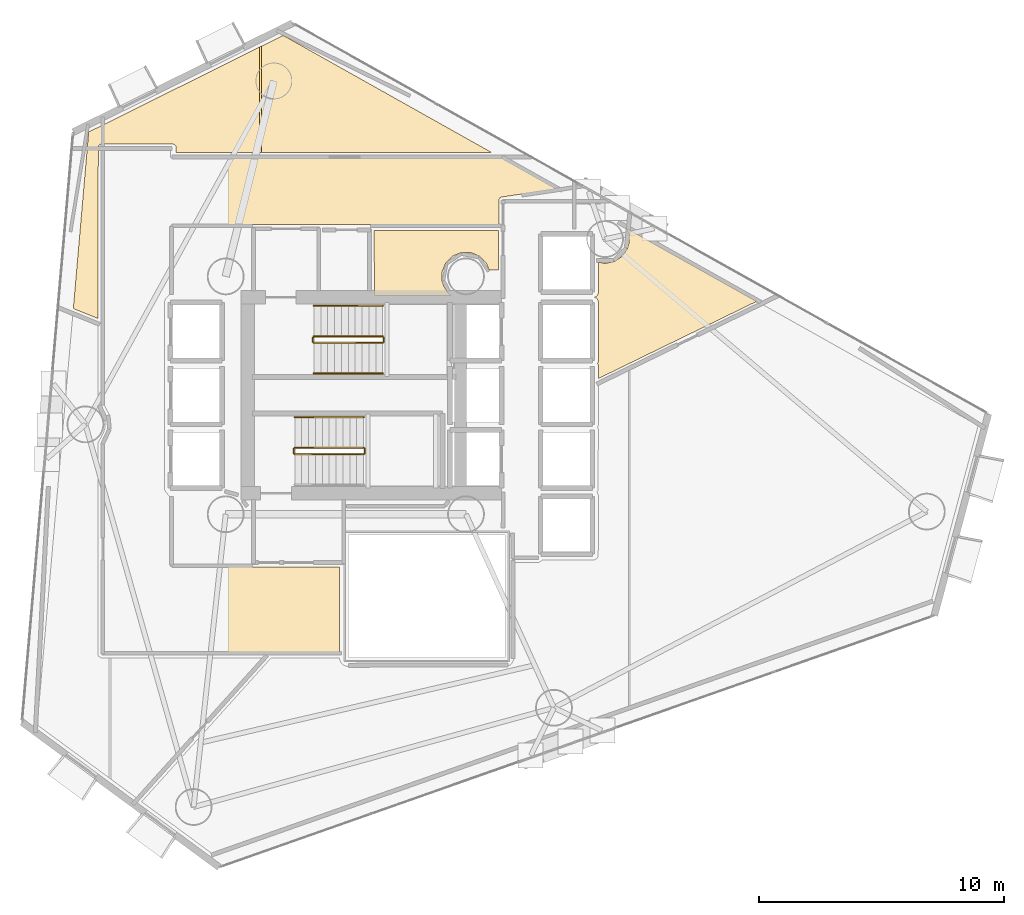
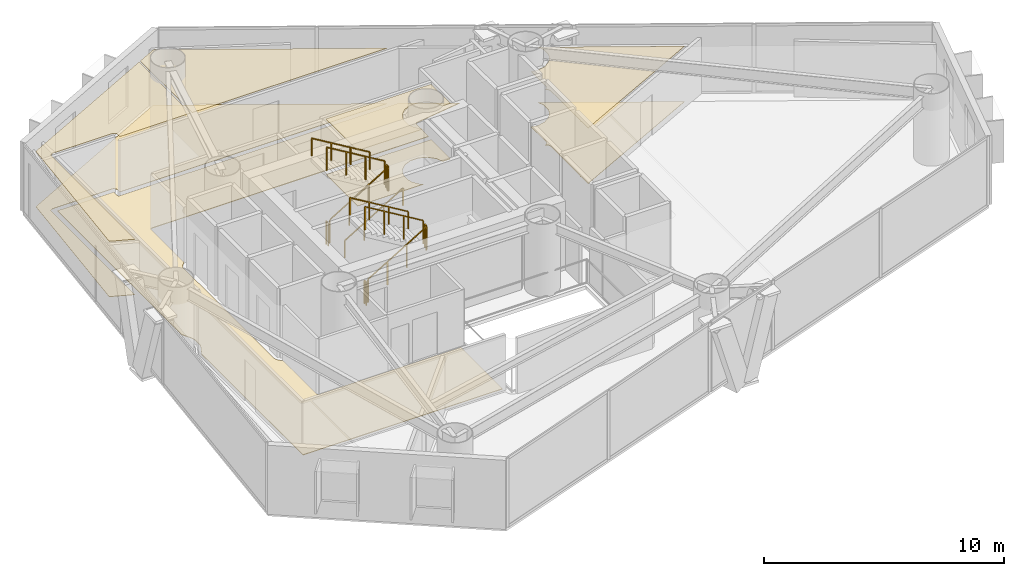
# One storey, part 19 of 19: 11 railings, 8 coverings.
"""IFC4 building model written with IfcOpenShell, lengths in metres."""

from ifc_helpers import new_model, si_unit, direction, frame, origin, origin_2d, place, context, subcontext, project, spatial, polyline, rectangle, outline, extrude, material, layer, layer_set, type_object, element, save


model = new_model("IFC4")

# Units and contexts
model_context = context("Model", 3, precision=1e-05, world=origin(), true_north=direction((0.0, 1.0)))
body_context = subcontext(model_context, "Body", "Model", "MODEL_VIEW")
ifc_project = project(units=[si_unit("LENGTHUNIT", "METRE"), si_unit("AREAUNIT", "SQUARE_METRE"), si_unit("VOLUMEUNIT", "CUBIC_METRE"), si_unit("PLANEANGLEUNIT", "RADIAN"), si_unit("MASSUNIT", "GRAM", prefix="KILO")], contexts=[model_context])

# Site, building, storey
site_placement = place(None, origin())
site = spatial("IfcSite", under=ifc_project, at=site_placement, CompositionType="ELEMENT")
building_placement = place(site_placement, origin())
building = spatial("IfcBuilding", under=site, at=building_placement, Name="Qianvela Tower", CompositionType="ELEMENT")
storey_placement = place(building_placement, frame((0.0, 0.0, 123.699951171875)))
storey = spatial("IfcBuildingStorey", under=building, at=storey_placement, Name="L31", CompositionType="ELEMENT", Elevation=123.699951171875)

# Coverings
ifc_material_1 = material(Name="Perforated Mineral Acoustic Ceiling Tile")
ifc_layer_1 = layer(ifc_material_1, 0.02490234375)
ifc_layer_set_1 = layer_set([ifc_layer_1], Name="Perforated Mineral Acoustic Ceiling Tile")
covering_type_1 = type_object("IfcCoveringType", Name="COV-CEIL-ACOUSTIC-25", PredefinedType="CEILING", material=ifc_layer_set_1)
covering_1_placement = place(storey_placement, frame((0.0, 0.0, 2.81494140625)))
element("IfcCovering", 1, at=covering_1_placement, inside=storey, type_object=covering_type_1, Name="L31 Acoustic Ceiling Social Galley Kitchen L31-03", PredefinedType="CEILING", context=body_context, shape_type="SweptSolid", body=[
    extrude(outline(polyline([(43.640380859375, 32.699951171875), (43.722412109375, 32.739013671875), (43.729248046875, 32.74267578125), (43.73583984375, 32.746826171875), (43.741943359375, 32.751953125), (43.74755859375, 32.757568359375), (43.75244140625, 32.763427734375), (43.7568359375, 32.77001953125), (43.760498046875, 32.777099609375), (43.763427734375, 32.7841796875), (43.79541015625, 32.873046875), (43.79736328125, 32.879638671875), (43.798828125, 32.886474609375), (43.7998046875, 32.893310546875), (43.800048828125, 32.900390625), (43.794677734375, 34.135498046875), (44.0546875, 34.081787109375), (44.062744140625, 34.080322265625), (44.07080078125, 34.080078125), (44.07861328125, 34.080322265625), (44.086669921875, 34.08154296875), (44.434814453125, 34.15087890625), (44.4423828125, 34.152587890625), (44.449951171875, 34.155517578125), (44.45703125, 34.15869140625), (44.463623046875, 34.162841796875), (44.7587890625, 34.360107421875), (44.76513671875, 34.36474609375), (44.77099609375, 34.3701171875), (44.7763671875, 34.375732421875), (44.781005859375, 34.382080078125), (44.978271484375, 34.67724609375), (44.982421875, 34.68408203125), (44.985595703125, 34.691162109375), (44.98828125, 34.698486328125), (45.0400390625, 34.869140625), (45.0419921875, 34.876953125), (45.043212890625, 34.884521484375), (45.04345703125, 34.892578125), (45.04345703125, 35.24755859375), (45.043212890625, 35.25537109375), (45.0419921875, 35.26318359375), (45.0400390625, 35.270751953125), (45.037353515625, 35.278076171875), (44.9365234375, 35.521484375), (50.2578125, 32.533935546875), (43.800048828125, 29.38427734375), (43.800048828125, 29.89990234375), (43.799560546875, 29.907958984375), (43.79833984375, 29.915771484375), (43.79638671875, 29.923583984375), (43.793701171875, 29.93115234375), (43.7646484375, 30.0), (43.793701171875, 30.06884765625), (43.79638671875, 30.076416015625), (43.79833984375, 30.084228515625), (43.799560546875, 30.092041015625), (43.800048828125, 30.10009765625), (43.800048828125, 32.5), (43.799560546875, 32.509033203125), (43.7978515625, 32.518310546875), (43.79541015625, 32.527099609375), (43.763427734375, 32.61572265625), (43.760498046875, 32.623046875), (43.7568359375, 32.6298828125), (43.75244140625, 32.636474609375), (43.74755859375, 32.642578125), (43.741943359375, 32.648193359375), (43.73583984375, 32.653076171875), (43.729248046875, 32.657470703125), (43.722412109375, 32.6611328125), (43.640380859375, 32.699951171875)])), origin(), (0.0, 0.0, 1.0), 0.025146484375),
])
covering_2_placement = place(storey_placement, frame((0.0, 0.0, 2.81494140625)))
element("IfcCovering", 2, at=covering_2_placement, inside=storey, type_object=covering_type_1, Name="L31 Acoustic Ceiling Student Bookshop Market L31-04", PredefinedType="CEILING", context=body_context, shape_type="SweptSolid", body=[
    extrude(outline(polyline([(34.657470703125, 35.419921875), (39.719970703125, 35.419921875), (39.719970703125, 33.81201171875), (39.3447265625, 33.81103515625), (39.23046875, 34.086181640625), (39.227294921875, 34.09326171875), (39.22314453125, 34.10009765625), (39.218505859375, 34.106201171875), (39.213134765625, 34.112060546875), (38.962158203125, 34.36328125), (38.956298828125, 34.368408203125), (38.949951171875, 34.373291015625), (38.943359375, 34.377197265625), (38.936279296875, 34.380615234375), (38.608154296875, 34.516357421875), (38.600830078125, 34.51904296875), (38.593017578125, 34.52099609375), (38.58544921875, 34.522216796875), (38.577392578125, 34.5224609375), (38.222412109375, 34.5224609375), (38.214599609375, 34.522216796875), (38.206787109375, 34.52099609375), (38.19921875, 34.51904296875), (38.19189453125, 34.516357421875), (37.86376953125, 34.380615234375), (37.856689453125, 34.377197265625), (37.85009765625, 34.373291015625), (37.84375, 34.368408203125), (37.837890625, 34.36328125), (37.5869140625, 34.112060546875), (37.58154296875, 34.106201171875), (37.576904296875, 34.10009765625), (37.57275390625, 34.09326171875), (37.569580078125, 34.086181640625), (37.43359375, 33.758056640625), (37.430908203125, 33.750732421875), (37.428955078125, 33.7431640625), (37.427978515625, 33.7353515625), (37.427490234375, 33.7275390625), (37.427490234375, 33.37255859375), (37.427978515625, 33.364501953125), (37.428955078125, 33.35693359375), (37.430908203125, 33.34912109375), (37.482666015625, 33.178466796875), (37.4853515625, 33.171142578125), (37.48876953125, 33.1640625), (37.492919921875, 33.1572265625), (37.68994140625, 32.862060546875), (37.694580078125, 32.855712890625), (37.699951171875, 32.85009765625), (37.705810546875, 32.8447265625), (37.712158203125, 32.840087890625), (37.81689453125, 32.77001953125), (34.659912109375, 32.77001953125), (34.657470703125, 35.419921875)])), origin(), (0.0, 0.0, 1.0), 0.025146484375),
])
covering_3_placement = place(storey_placement, frame((0.0, 0.0, 2.81494140625)))
element("IfcCovering", 3, at=covering_3_placement, inside=storey, type_object=covering_type_1, Name="L31 Acoustic Ceiling Bay 1 Stationery Supply Boutique L31-05", PredefinedType="CEILING", context=body_context, shape_type="SweptSolid", body=[
    extrude(outline(polyline([(26.577880859375, 38.82421875), (26.57666015625, 38.83251953125), (26.574462890625, 38.840576171875), (26.571533203125, 38.84814453125), (26.567626953125, 38.855712890625), (26.563232421875, 38.862548828125), (26.55810546875, 38.868896484375), (26.55224609375, 38.875), (26.481689453125, 38.93896484375), (26.47509765625, 38.944091796875), (26.468017578125, 38.94873046875), (26.46044921875, 38.95263671875), (26.45263671875, 38.955810546875), (26.444580078125, 38.957763671875), (26.436279296875, 38.959228515625), (26.427978515625, 38.959716796875), (23.550048828125, 38.9599609375), (23.542236328125, 38.959716796875), (23.534423828125, 38.95849609375), (23.52685546875, 38.95654296875), (23.519287109375, 38.953857421875), (23.51220703125, 38.95068359375), (23.44580078125, 38.9150390625), (23.43896484375, 38.910888671875), (23.432861328125, 38.90625), (23.427001953125, 38.90087890625), (23.421630859375, 38.895263671875), (23.4169921875, 38.888916015625), (23.4130859375, 38.882080078125), (23.40966796875, 38.875), (23.406982421875, 38.867919921875), (23.405029296875, 38.860107421875), (23.40380859375, 38.852294921875), (23.403564453125, 38.844482421875), (23.39013671875, 31.832275390625), (22.385009765625, 32.23828125), (23.010009765625, 39.438232421875), (29.9833984375, 42.90380859375), (29.9833984375, 38.610107421875), (26.57958984375, 38.610107421875), (26.57861328125, 38.81591796875), (26.577880859375, 38.82421875)])), origin(), (0.0, 0.0, 1.0), 0.025146484375),
])
covering_4_placement = place(storey_placement, frame((0.0, 0.0, 2.81494140625)))
element("IfcCovering", 4, at=covering_4_placement, inside=storey, type_object=covering_type_1, Name="L31 Acoustic Ceiling Bay 2 Stationery Supply Boutique L31-05", PredefinedType="CEILING", context=body_context, shape_type="SweptSolid", body=[
    extrude(outline(polyline([(30.94091796875, 43.379638671875), (39.435791015625, 38.610107421875), (30.0634765625, 38.610107421875), (30.0634765625, 42.943603515625), (30.94091796875, 43.379638671875)])), origin(), (0.0, 0.0, 1.0), 0.025146484375),
])
ifc_material_2 = material(Name="Engineered Acoustic Oak Timber Flooring", Category="wood")
ifc_layer_2 = layer(ifc_material_2, 0.02001953125)
ifc_layer_set_2 = layer_set([ifc_layer_2], Name="Engineered Acoustic Oak Timber Flooring")
covering_type_2 = type_object("IfcCoveringType", Name="COV-FLOOR-OAK-20", PredefinedType="FLOORING", material=ifc_layer_set_2)
covering_5_placement = place(storey_placement, origin())
element("IfcCovering", 5, at=covering_5_placement, inside=storey, type_object=covering_type_2, Name="L31 Finish Flooring Social Galley Kitchen L31-03", PredefinedType="FLOORING", context=body_context, shape_type="SweptSolid", body=[
    extrude(outline(polyline([(43.640380859375, 32.699951171875), (43.722412109375, 32.739013671875), (43.729248046875, 32.74267578125), (43.73583984375, 32.746826171875), (43.741943359375, 32.751953125), (43.74755859375, 32.757568359375), (43.75244140625, 32.763427734375), (43.7568359375, 32.77001953125), (43.760498046875, 32.777099609375), (43.763427734375, 32.7841796875), (43.79541015625, 32.873046875), (43.79736328125, 32.879638671875), (43.798828125, 32.886474609375), (43.7998046875, 32.893310546875), (43.800048828125, 32.900390625), (43.794677734375, 34.135498046875), (44.0546875, 34.081787109375), (44.062744140625, 34.080322265625), (44.07080078125, 34.080078125), (44.07861328125, 34.080322265625), (44.086669921875, 34.08154296875), (44.434814453125, 34.15087890625), (44.4423828125, 34.152587890625), (44.449951171875, 34.155517578125), (44.45703125, 34.15869140625), (44.463623046875, 34.162841796875), (44.7587890625, 34.360107421875), (44.76513671875, 34.36474609375), (44.77099609375, 34.3701171875), (44.7763671875, 34.375732421875), (44.781005859375, 34.382080078125), (44.978271484375, 34.67724609375), (44.982421875, 34.68408203125), (44.985595703125, 34.691162109375), (44.98828125, 34.698486328125), (45.0400390625, 34.869140625), (45.0419921875, 34.876953125), (45.043212890625, 34.884521484375), (45.04345703125, 34.892578125), (45.04345703125, 35.24755859375), (45.043212890625, 35.25537109375), (45.0419921875, 35.26318359375), (45.0400390625, 35.270751953125), (45.037353515625, 35.278076171875), (44.9365234375, 35.521484375), (50.2578125, 32.533935546875), (43.800048828125, 29.38427734375), (43.800048828125, 29.89990234375), (43.799560546875, 29.907958984375), (43.79833984375, 29.915771484375), (43.79638671875, 29.923583984375), (43.793701171875, 29.93115234375), (43.7646484375, 30.0), (43.793701171875, 30.06884765625), (43.79638671875, 30.076416015625), (43.79833984375, 30.084228515625), (43.799560546875, 30.092041015625), (43.800048828125, 30.10009765625), (43.800048828125, 32.5), (43.799560546875, 32.509033203125), (43.7978515625, 32.518310546875), (43.79541015625, 32.527099609375), (43.763427734375, 32.61572265625), (43.760498046875, 32.623046875), (43.7568359375, 32.6298828125), (43.75244140625, 32.636474609375), (43.74755859375, 32.642578125), (43.741943359375, 32.648193359375), (43.73583984375, 32.653076171875), (43.729248046875, 32.657470703125), (43.722412109375, 32.6611328125), (43.640380859375, 32.699951171875)])), origin(), (0.0, 0.0, 1.0), 0.02001953125),
])
covering_6_placement = place(storey_placement, origin())
element("IfcCovering", 6, at=covering_6_placement, inside=storey, type_object=covering_type_2, Name="L31 Finish Flooring Student Bookshop Market L31-04", PredefinedType="FLOORING", context=body_context, shape_type="SweptSolid", body=[
    extrude(outline(polyline([(34.657470703125, 35.419921875), (39.719970703125, 35.419921875), (39.719970703125, 33.81201171875), (39.3447265625, 33.81103515625), (39.23046875, 34.086181640625), (39.227294921875, 34.09326171875), (39.22314453125, 34.10009765625), (39.218505859375, 34.106201171875), (39.213134765625, 34.112060546875), (38.962158203125, 34.36328125), (38.956298828125, 34.368408203125), (38.949951171875, 34.373291015625), (38.943359375, 34.377197265625), (38.936279296875, 34.380615234375), (38.608154296875, 34.516357421875), (38.600830078125, 34.51904296875), (38.593017578125, 34.52099609375), (38.58544921875, 34.522216796875), (38.577392578125, 34.5224609375), (38.222412109375, 34.5224609375), (38.214599609375, 34.522216796875), (38.206787109375, 34.52099609375), (38.19921875, 34.51904296875), (38.19189453125, 34.516357421875), (37.86376953125, 34.380615234375), (37.856689453125, 34.377197265625), (37.85009765625, 34.373291015625), (37.84375, 34.368408203125), (37.837890625, 34.36328125), (37.5869140625, 34.112060546875), (37.58154296875, 34.106201171875), (37.576904296875, 34.10009765625), (37.57275390625, 34.09326171875), (37.569580078125, 34.086181640625), (37.43359375, 33.758056640625), (37.430908203125, 33.750732421875), (37.428955078125, 33.7431640625), (37.427978515625, 33.7353515625), (37.427490234375, 33.7275390625), (37.427490234375, 33.37255859375), (37.427978515625, 33.364501953125), (37.428955078125, 33.35693359375), (37.430908203125, 33.34912109375), (37.482666015625, 33.178466796875), (37.4853515625, 33.171142578125), (37.48876953125, 33.1640625), (37.492919921875, 33.1572265625), (37.68994140625, 32.862060546875), (37.694580078125, 32.855712890625), (37.699951171875, 32.85009765625), (37.705810546875, 32.8447265625), (37.712158203125, 32.840087890625), (37.81689453125, 32.77001953125), (34.659912109375, 32.77001953125), (34.657470703125, 35.419921875)])), origin(), (0.0, 0.0, 1.0), 0.02001953125),
])
covering_7_placement = place(storey_placement, origin())
element("IfcCovering", 7, at=covering_7_placement, inside=storey, type_object=covering_type_2, Name="L31 Finish Flooring Stationery Supply Boutique L31-05", PredefinedType="FLOORING", context=body_context, shape_type="SweptSolid", body=[
    extrude(outline(polyline([(26.57861328125, 38.81591796875), (26.577880859375, 38.82421875), (26.57666015625, 38.83251953125), (26.574462890625, 38.840576171875), (26.571533203125, 38.84814453125), (26.567626953125, 38.855712890625), (26.563232421875, 38.862548828125), (26.55810546875, 38.868896484375), (26.55224609375, 38.875), (26.481689453125, 38.93896484375), (26.47509765625, 38.944091796875), (26.468017578125, 38.94873046875), (26.46044921875, 38.95263671875), (26.45263671875, 38.955810546875), (26.444580078125, 38.957763671875), (26.436279296875, 38.959228515625), (26.427978515625, 38.959716796875), (23.550048828125, 38.9599609375), (23.542236328125, 38.959716796875), (23.534423828125, 38.95849609375), (23.52685546875, 38.95654296875), (23.519287109375, 38.953857421875), (23.51220703125, 38.95068359375), (23.44580078125, 38.9150390625), (23.43896484375, 38.910888671875), (23.432861328125, 38.90625), (23.427001953125, 38.90087890625), (23.421630859375, 38.895263671875), (23.4169921875, 38.888916015625), (23.4130859375, 38.882080078125), (23.40966796875, 38.875), (23.406982421875, 38.867919921875), (23.405029296875, 38.860107421875), (23.40380859375, 38.852294921875), (23.403564453125, 38.844482421875), (23.39013671875, 31.832275390625), (22.385009765625, 32.23828125), (23.010009765625, 39.438232421875), (30.94091796875, 43.379638671875), (39.435791015625, 38.610107421875), (26.57958984375, 38.610107421875), (26.57861328125, 38.81591796875)])), origin(), (0.0, 0.0, 1.0), 0.02001953125),
])
ifc_material_3 = material(Name="Honed Stone Terrazzo Flooring", Category="masonry")
ifc_layer_3 = layer(ifc_material_3, 0.030029296875)
ifc_layer_set_3 = layer_set([ifc_layer_3], Name="Honed Stone Terrazzo Flooring")
covering_type_3 = type_object("IfcCoveringType", Name="COV-FLOOR-TERRAZZO-30", PredefinedType="FLOORING", material=ifc_layer_set_3)
covering_8_placement = place(storey_placement, origin())
element("IfcCovering", 8, at=covering_8_placement, inside=storey, type_object=covering_type_3, Name="L31 Finish Flooring L31 Floor Corridor", PredefinedType="FLOORING", context=body_context, shape_type="SweptSolid", body=[
    extrude(outline(polyline([(23.8505859375, 27.910400390625), (23.84814453125, 27.917724609375), (23.8447265625, 27.9248046875), (23.6298828125, 28.32666015625), (23.6298828125, 38.719970703125), (26.340087890625, 38.719970703125), (26.340087890625, 38.449951171875), (26.34033203125, 38.442138671875), (26.341552734375, 38.434326171875), (26.343505859375, 38.4267578125), (26.34619140625, 38.41943359375), (26.349365234375, 38.412353515625), (26.353515625, 38.405517578125), (26.358154296875, 38.399169921875), (26.36328125, 38.393310546875), (26.369140625, 38.38818359375), (26.37548828125, 38.383544921875), (26.38232421875, 38.37939453125), (26.389404296875, 38.376220703125), (26.396728515625, 38.373291015625), (26.404296875, 38.37158203125), (26.412109375, 38.370361328125), (26.419921875, 38.3701171875), (39.86328125, 38.3701171875), (42.08837890625, 37.12060546875), (39.8388671875, 36.78369140625), (39.831298828125, 36.7822265625), (39.82373046875, 36.780029296875), (39.81640625, 36.777099609375), (39.8095703125, 36.773193359375), (39.802978515625, 36.768798828125), (39.797119140625, 36.763916015625), (39.79150390625, 36.75830078125), (39.78662109375, 36.752197265625), (39.7822265625, 36.745849609375), (39.74951171875, 36.691162109375), (39.74609375, 36.684814453125), (39.7431640625, 36.67822265625), (39.740966796875, 36.67138671875), (39.7392578125, 36.664306640625), (39.73828125, 36.6572265625), (39.738037109375, 36.64990234375), (39.738037109375, 35.659912109375), (26.419921875, 35.659912109375), (26.412109375, 35.65966796875), (26.404296875, 35.658447265625), (26.396728515625, 35.656494140625), (26.389404296875, 35.65380859375), (26.38232421875, 35.650634765625), (26.37548828125, 35.646484375), (26.369140625, 35.641845703125), (26.36328125, 35.63671875), (26.358154296875, 35.630859375), (26.353515625, 35.62451171875), (26.349365234375, 35.61767578125), (26.34619140625, 35.610595703125), (26.343505859375, 35.603271484375), (26.341552734375, 35.595703125), (26.34033203125, 35.587890625), (26.340087890625, 35.580078125), (26.340087890625, 32.849365234375), (26.152587890625, 32.642578125), (26.1474609375, 32.636474609375), (26.143310546875, 32.6298828125), (26.139404296875, 32.623046875), (26.136474609375, 32.61572265625), (26.104736328125, 32.527099609375), (26.10205078125, 32.518310546875), (26.1005859375, 32.509033203125), (26.10009765625, 32.5), (26.10009765625, 24.89990234375), (26.100341796875, 24.89306640625), (26.101318359375, 24.88623046875), (26.1025390625, 24.879638671875), (26.104736328125, 24.873046875), (26.136474609375, 24.7841796875), (26.139404296875, 24.777099609375), (26.143310546875, 24.77001953125), (26.1474609375, 24.763427734375), (26.152587890625, 24.757568359375), (26.340087890625, 24.550537109375), (26.340087890625, 21.780029296875), (26.34033203125, 21.772216796875), (26.341552734375, 21.764404296875), (26.343505859375, 21.7568359375), (26.34619140625, 21.74951171875), (26.349365234375, 21.7421875), (26.353515625, 21.735595703125), (26.358154296875, 21.729248046875), (26.36328125, 21.723388671875), (26.369140625, 21.71826171875), (26.37548828125, 21.71337890625), (26.38232421875, 21.70947265625), (26.389404296875, 21.7060546875), (26.396728515625, 21.703369140625), (26.404296875, 21.701416015625), (26.412109375, 21.700439453125), (26.419921875, 21.699951171875), (33.239990234375, 21.699951171875), (33.239990234375, 18.22998046875), (23.6298828125, 18.22998046875), (23.6298828125, 26.705322265625), (23.8447265625, 27.107177734375), (23.84814453125, 27.1142578125), (23.8505859375, 27.12158203125), (23.906005859375, 27.303466796875), (23.90771484375, 27.311279296875), (23.908935546875, 27.31884765625), (23.909423828125, 27.326904296875), (23.909423828125, 27.705078125), (23.908935546875, 27.713134765625), (23.90771484375, 27.720703125), (23.906005859375, 27.728515625), (23.8505859375, 27.910400390625)])), origin(), (0.0, 0.0, 1.0), 0.030029296875),
])

# Railings
ifc_material_4 = material(Name="Painted Tubular Steel Q355B", Category="steel")
railing_type_1 = type_object("IfcRailingType", Name="RL-STAIR-GUARD-1200", PredefinedType="GUARDRAIL", material=ifc_material_4)
railing_1_placement = place(storey_placement, frame((32.199951171875, 30.840087890625, 0.168212890625)))
element("IfcRailing", 9, at=railing_1_placement, inside=storey, type_object=railing_type_1, Name="L31 ST-1 stair guard 1", PredefinedType="GUARDRAIL", context=body_context, shape_type="SweptSolid", body=[
    extrude(rectangle(XDim=0.050048828125, YDim=0.0400390625, at=origin_2d()), frame((0.0, 0.0, 1.179931640625), z_axis=(0.857242210791, 0.0, 0.514913383045), x_axis=(0.0, 1.0, 0.0)), (0.0, 0.0, 1.0), 3.266357421875),
    extrude(rectangle(XDim=0.050048828125, YDim=0.050048828125, at=origin_2d()), origin(), (0.0, 0.0, 1.0), 1.159912109375),
    extrude(rectangle(XDim=0.050048828125, YDim=0.050048828125, at=origin_2d()), frame((0.933349609375, 0.0, 0.560546875)), (0.0, 0.0, 1.0), 1.159912109375),
    extrude(rectangle(XDim=0.050048828125, YDim=0.050048828125, at=origin_2d()), frame((1.86669921875, 0.0, 1.121337890625)), (0.0, 0.0, 1.0), 1.159912109375),
    extrude(rectangle(XDim=0.050048828125, YDim=0.050048828125, at=origin_2d()), frame((2.800048828125, 0.0, 1.681884765625)), (0.0, 0.0, 1.0), 1.159912109375),
])
railing_2_placement = place(storey_placement, frame((35.050048828125, 30.889892578125, 1.85009765625)))
element("IfcRailing", 10, at=railing_2_placement, inside=storey, type_object=railing_type_1, Name="L31 ST-1 stair guard 2", PredefinedType="GUARDRAIL", context=body_context, shape_type="SweptSolid", body=[
    extrude(rectangle(XDim=0.050048828125, YDim=0.0400390625, at=origin_2d()), frame((0.0, 0.0, 1.179931640625), z_axis=(0.0, 1.0, 0.0), x_axis=(-1.0, 0.0, 0.0)), (0.0, 0.0, 1.0), 0.16015625),
    extrude(rectangle(XDim=0.050048828125, YDim=0.050048828125, at=origin_2d()), origin(), (0.0, 0.0, 1.0), 1.159912109375),
    extrude(rectangle(XDim=0.050048828125, YDim=0.050048828125, at=origin_2d()), frame((0.0, 0.16015625, 0.0)), (0.0, 0.0, 1.0), 1.159912109375),
])
railing_3_placement = place(storey_placement, frame((35.0, 31.10009765625, 2.018310546875)))
element("IfcRailing", 11, at=railing_3_placement, inside=storey, type_object=railing_type_1, Name="L31 ST-1 stair guard 3", PredefinedType="GUARDRAIL", context=body_context, shape_type="SweptSolid", body=[
    extrude(rectangle(XDim=0.050048828125, YDim=0.0400390625, at=origin_2d()), frame((0.0, 0.0, 1.179931640625), z_axis=(-0.857275202839, 0.0, 0.514858452973), x_axis=(0.0, -1.0, 0.0)), (0.0, 0.0, 1.0), 3.26611328125),
    extrude(rectangle(XDim=0.050048828125, YDim=0.050048828125, at=origin_2d()), origin(), (0.0, 0.0, 1.0), 1.159912109375),
    extrude(rectangle(XDim=0.050048828125, YDim=0.050048828125, at=origin_2d()), frame((-0.933349609375, 0.0, 0.560546875)), (0.0, 0.0, 1.0), 1.159912109375),
    extrude(rectangle(XDim=0.050048828125, YDim=0.050048828125, at=origin_2d()), frame((-1.86669921875, 0.0, 1.12109375)), (0.0, 0.0, 1.0), 1.159912109375),
    extrude(rectangle(XDim=0.050048828125, YDim=0.050048828125, at=origin_2d()), frame((-2.800048828125, 0.0, 1.681640625)), (0.0, 0.0, 1.0), 1.159912109375),
])
railing_4_placement = place(storey_placement, frame((32.14990234375, 30.889892578125, 0.0)))
element("IfcRailing", 12, at=railing_4_placement, inside=storey, type_object=railing_type_1, Name="L31 ST-1 stair guard 4", PredefinedType="GUARDRAIL", context=body_context, shape_type="SweptSolid", body=[
    extrude(rectangle(XDim=0.050048828125, YDim=0.0400390625, at=origin_2d()), frame((0.0, 0.0, 1.179931640625), z_axis=(0.0, 1.0, 0.0), x_axis=(-1.0, 0.0, 0.0)), (0.0, 0.0, 1.0), 0.16015625),
    extrude(rectangle(XDim=0.050048828125, YDim=0.050048828125, at=origin_2d()), origin(), (0.0, 0.0, 1.0), 1.159912109375),
    extrude(rectangle(XDim=0.050048828125, YDim=0.050048828125, at=origin_2d()), frame((0.0, 0.16015625, 0.0)), (0.0, 0.0, 1.0), 1.159912109375),
])
railing_5_placement = place(storey_placement, frame((31.419921875, 26.300048828125, 0.168212890625)))
element("IfcRailing", 13, at=railing_5_placement, inside=storey, type_object=railing_type_1, Name="L31 ST-2 stair guard 1", PredefinedType="GUARDRAIL", context=body_context, shape_type="SweptSolid", body=[
    extrude(rectangle(XDim=0.050048828125, YDim=0.0400390625, at=origin_2d()), frame((0.0, 0.0, 1.179931640625), z_axis=(0.857242210791, 0.0, 0.514913383045), x_axis=(0.0, 1.0, 0.0)), (0.0, 0.0, 1.0), 3.266357421875),
    extrude(rectangle(XDim=0.050048828125, YDim=0.050048828125, at=origin_2d()), origin(), (0.0, 0.0, 1.0), 1.159912109375),
    extrude(rectangle(XDim=0.050048828125, YDim=0.050048828125, at=origin_2d()), frame((0.933349609375, 0.0, 0.560546875)), (0.0, 0.0, 1.0), 1.159912109375),
    extrude(rectangle(XDim=0.050048828125, YDim=0.050048828125, at=origin_2d()), frame((1.86669921875, 0.0, 1.121337890625)), (0.0, 0.0, 1.0), 1.159912109375),
    extrude(rectangle(XDim=0.050048828125, YDim=0.050048828125, at=origin_2d()), frame((2.800048828125, 0.0, 1.681884765625)), (0.0, 0.0, 1.0), 1.159912109375),
])
railing_6_placement = place(storey_placement, frame((34.27001953125, 26.35009765625, 1.85009765625)))
element("IfcRailing", 14, at=railing_6_placement, inside=storey, type_object=railing_type_1, Name="L31 ST-2 stair guard 2", PredefinedType="GUARDRAIL", context=body_context, shape_type="SweptSolid", body=[
    extrude(rectangle(XDim=0.050048828125, YDim=0.0400390625, at=origin_2d()), frame((0.0, 0.0, 1.179931640625), z_axis=(0.0, 1.0, 0.0), x_axis=(-1.0, 0.0, 0.0)), (0.0, 0.0, 1.0), 0.159912109375),
    extrude(rectangle(XDim=0.050048828125, YDim=0.050048828125, at=origin_2d()), origin(), (0.0, 0.0, 1.0), 1.159912109375),
    extrude(rectangle(XDim=0.050048828125, YDim=0.050048828125, at=origin_2d()), frame((0.0, 0.159912109375, 0.0)), (0.0, 0.0, 1.0), 1.159912109375),
])
railing_7_placement = place(storey_placement, frame((34.219970703125, 26.56005859375, 2.018310546875)))
element("IfcRailing", 15, at=railing_7_placement, inside=storey, type_object=railing_type_1, Name="L31 ST-2 stair guard 3", PredefinedType="GUARDRAIL", context=body_context, shape_type="SweptSolid", body=[
    extrude(rectangle(XDim=0.050048828125, YDim=0.0400390625, at=origin_2d()), frame((0.0, 0.0, 1.179931640625), z_axis=(-0.857275202839, 0.0, 0.514858452973), x_axis=(0.0, -1.0, 0.0)), (0.0, 0.0, 1.0), 3.26611328125),
    extrude(rectangle(XDim=0.050048828125, YDim=0.050048828125, at=origin_2d()), origin(), (0.0, 0.0, 1.0), 1.159912109375),
    extrude(rectangle(XDim=0.050048828125, YDim=0.050048828125, at=origin_2d()), frame((-0.933349609375, 0.0, 0.560546875)), (0.0, 0.0, 1.0), 1.159912109375),
    extrude(rectangle(XDim=0.050048828125, YDim=0.050048828125, at=origin_2d()), frame((-1.86669921875, 0.0, 1.12109375)), (0.0, 0.0, 1.0), 1.159912109375),
    extrude(rectangle(XDim=0.050048828125, YDim=0.050048828125, at=origin_2d()), frame((-2.800048828125, 0.0, 1.681640625)), (0.0, 0.0, 1.0), 1.159912109375),
])
railing_8_placement = place(storey_placement, frame((31.3701171875, 26.35009765625, 0.0)))
element("IfcRailing", 16, at=railing_8_placement, inside=storey, type_object=railing_type_1, Name="L31 ST-2 stair guard 4", PredefinedType="GUARDRAIL", context=body_context, shape_type="SweptSolid", body=[
    extrude(rectangle(XDim=0.050048828125, YDim=0.0400390625, at=origin_2d()), frame((0.0, 0.0, 1.179931640625), z_axis=(0.0, 1.0, 0.0), x_axis=(-1.0, 0.0, 0.0)), (0.0, 0.0, 1.0), 0.159912109375),
    extrude(rectangle(XDim=0.050048828125, YDim=0.050048828125, at=origin_2d()), origin(), (0.0, 0.0, 1.0), 1.159912109375),
    extrude(rectangle(XDim=0.050048828125, YDim=0.050048828125, at=origin_2d()), frame((0.0, 0.159912109375, 0.0)), (0.0, 0.0, 1.0), 1.159912109375),
])
ifc_material_5 = material(Name="Brushed Stainless Steel 304", Category="steel")
railing_type_2 = type_object("IfcRailingType", Name="RL-STAIR-HANDRAIL-900", PredefinedType="HANDRAIL", material=ifc_material_5)
railing_9_placement = place(storey_placement, frame((32.199951171875, 29.590087890625, 0.168212890625)))
element("IfcRailing", 17, at=railing_9_placement, inside=storey, type_object=railing_type_2, Name="L31 ST-1 stair handrail 1", PredefinedType="HANDRAIL", context=body_context, shape_type="SweptSolid", body=[
    extrude(rectangle(XDim=0.050048828125, YDim=0.0400390625, at=origin_2d()), frame((0.0, 0.0, 0.8798828125), z_axis=(0.857242210791, 0.0, 0.514913383045), x_axis=(0.0, 1.0, 0.0)), (0.0, 0.0, 1.0), 3.266357421875),
    extrude(rectangle(XDim=0.050048828125, YDim=0.050048828125, at=origin_2d()), origin(), (0.0, 0.0, 1.0), 0.85986328125),
    extrude(rectangle(XDim=0.050048828125, YDim=0.050048828125, at=origin_2d()), frame((0.933349609375, 0.0, 0.560546875)), (0.0, 0.0, 1.0), 0.85986328125),
    extrude(rectangle(XDim=0.050048828125, YDim=0.050048828125, at=origin_2d()), frame((1.86669921875, 0.0, 1.121337890625)), (0.0, 0.0, 1.0), 0.85986328125),
    extrude(rectangle(XDim=0.050048828125, YDim=0.050048828125, at=origin_2d()), frame((2.800048828125, 0.0, 1.681884765625)), (0.0, 0.0, 1.0), 0.85986328125),
])
for number, where, name in (
    (18, (35.0, 32.35009765625, 2.018310546875), "L31 ST-1 stair handrail 2"),
    (19, (34.219970703125, 27.81005859375, 2.018310546875), "L31 ST-2 stair handrail 2"),
):
    element("IfcRailing", number, at=place(storey_placement, frame(where)), inside=storey, type_object=railing_type_2, Name=name, PredefinedType="HANDRAIL", context=body_context, shape_type="SweptSolid", body=[
        extrude(rectangle(XDim=0.050048828125, YDim=0.0400390625, at=origin_2d()), frame((0.0, 0.0, 0.8798828125), z_axis=(-0.857275202839, 0.0, 0.514858452973), x_axis=(0.0, -1.0, 0.0)), (0.0, 0.0, 1.0), 3.26611328125),
        extrude(rectangle(XDim=0.050048828125, YDim=0.050048828125, at=origin_2d()), origin(), (0.0, 0.0, 1.0), 0.85986328125),
        extrude(rectangle(XDim=0.050048828125, YDim=0.050048828125, at=origin_2d()), frame((-0.933349609375, 0.0, 0.560546875)), (0.0, 0.0, 1.0), 0.85986328125),
        extrude(rectangle(XDim=0.050048828125, YDim=0.050048828125, at=origin_2d()), frame((-1.86669921875, 0.0, 1.12109375)), (0.0, 0.0, 1.0), 0.85986328125),
        extrude(rectangle(XDim=0.050048828125, YDim=0.050048828125, at=origin_2d()), frame((-2.800048828125, 0.0, 1.681640625)), (0.0, 0.0, 1.0), 0.85986328125),
    ])

save(model, "model.ifc")
